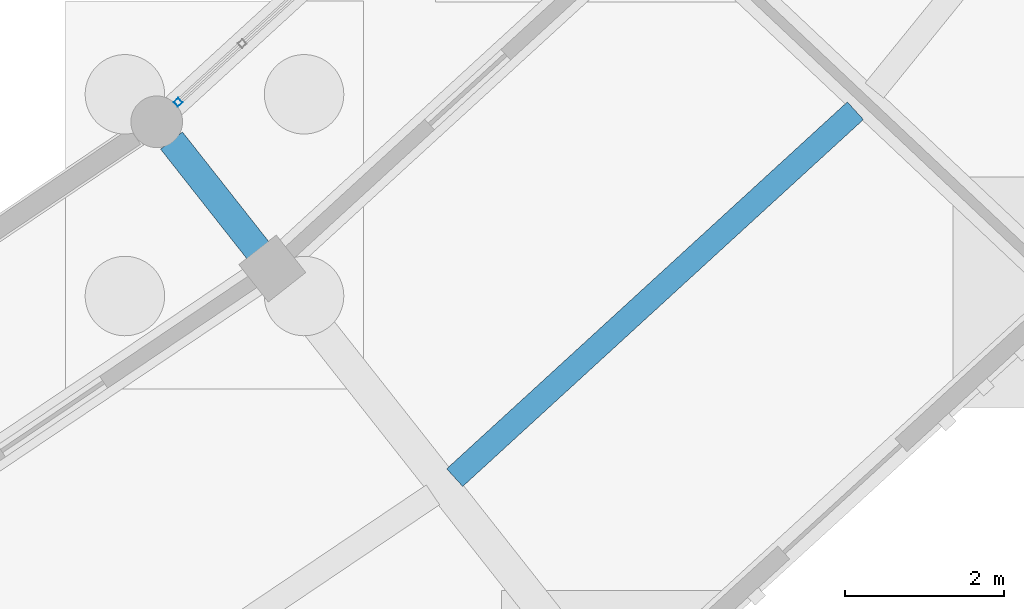
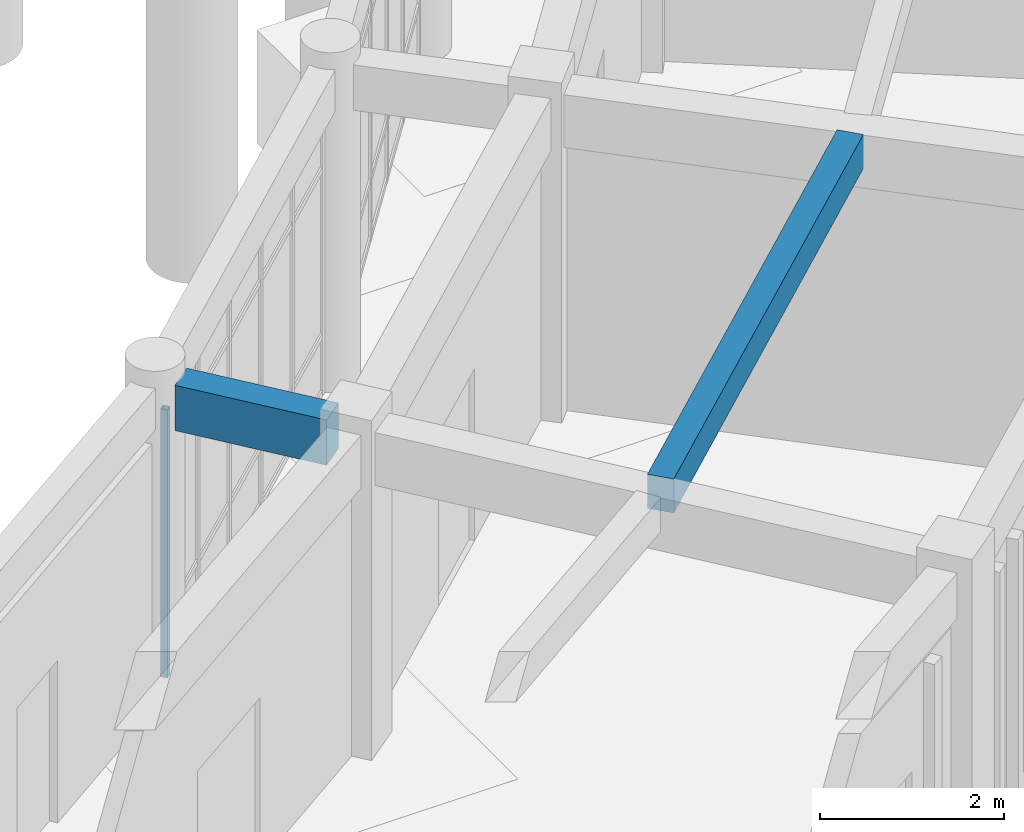
# One storey, part 48 of 153: 2 beams, 1 member, 1 element without a shape of its own.
"""IFC4 building model written with IfcOpenShell, lengths in metres."""

from ifc_helpers import new_model, si_unit, direction, frame, origin, origin_2d, place, context, subcontext, project, spatial, rectangle, hollow_rectangle, extrude, material, material_profile, profile_set, type_object, element, aggregate, save


model = new_model("IFC4")

# Units and contexts
model_context = context("Model", 3, precision=1e-05, world=origin(), true_north=direction((0.0, 1.0)))
body_context = subcontext(model_context, "Body", "Model", "MODEL_VIEW")
ifc_project = project(units=[si_unit("LENGTHUNIT", "METRE"), si_unit("AREAUNIT", "SQUARE_METRE"), si_unit("VOLUMEUNIT", "CUBIC_METRE"), si_unit("PLANEANGLEUNIT", "RADIAN"), si_unit("MASSUNIT", "GRAM", prefix="KILO")], contexts=[model_context])

# Site, building, storey
site_placement = place(None, origin())
site = spatial("IfcSite", under=ifc_project, at=site_placement, CompositionType="ELEMENT")
building_placement = place(site_placement, origin())
building = spatial("IfcBuilding", under=site, at=building_placement, Name="Celadon Cloister-Ring School", CompositionType="ELEMENT")
storey_placement = place(building_placement, origin())
storey = spatial("IfcBuildingStorey", under=building, at=storey_placement, Name="L00", CompositionType="ELEMENT", Elevation=0.0)

# Beam
ifc_material_1 = material(Name="Concrete C35/45", Category="concrete")
ifc_material_profile_1 = material_profile(ifc_material_1, rectangle(XDim=0.35009765625, YDim=0.60009765625, at=origin_2d()), Name="RC350X600")
ifc_profile_set_1 = profile_set([ifc_material_profile_1], Name="Concrete C35/45")
beam_type_1 = type_object("IfcBeamType", Name="BT-02", PredefinedType="BEAM", material=ifc_profile_set_1)
beam_1_placement = place(storey_placement, frame((114.677978515625, 23.867919921875, 3.97998046875), z_axis=(-0.618720442645, 0.785611235824, 0.0), x_axis=(-0.785611235824, -0.618720442645, 0.0)))
element("IfcBeam", 1, at=beam_1_placement, inside=storey, type_object=beam_type_1, Name="Beam 0043", PredefinedType="BEAM", context=body_context, shape_type="SweptSolid", body=[
    extrude(rectangle(XDim=0.35009765625, YDim=0.60009765625, at=origin_2d()), origin(), (0.0, 0.0, 1.0), 1.7744140625),
])

# Curtain wall, member
ifc_material_2 = material(Name="Aluminium EN AW-6063 T6", Category="aluminium")
curtain_wall_type = type_object("IfcCurtainWallType", Name="CW-01", PredefinedType="USERDEFINED", material=ifc_material_2)
curtain_wall_placement = place(storey_placement, origin())
curtain_wall = element("IfcCurtainWall", 2, at=curtain_wall_placement, inside=storey, type_object=curtain_wall_type, Name="Curtain Wall 0013", ObjectType="CURTAIN WALL", PredefinedType="USERDEFINED")
ifc_material_3 = material(Name="Aluminium EN AW-6063 T6", Category="aluminium")
ifc_material_profile_2 = material_profile(ifc_material_3, hollow_rectangle(XDim=0.080078125, YDim=0.080078125, WallThickness=0.00390625, at=origin_2d()), Name="RHS80X80X4")
ifc_profile_set_2 = profile_set([ifc_material_profile_2], Name="Aluminium EN AW-6063 T6")
member_type = type_object("IfcMemberType", Name="CM-03", PredefinedType="MULLION", material=ifc_profile_set_2)
member_placement = place(storey_placement, frame((113.66357421875, 25.744140625, 0.0), z_axis=(0.0, 0.0, 1.0), x_axis=(-0.675468961678, 0.737388419905, 0.0)))
member = element("IfcMember", 3, at=member_placement, type_object=member_type, Name="CW-01 mullion 1", PredefinedType="MULLION", context=body_context, shape_type="SweptSolid", body=[
    extrude(hollow_rectangle(XDim=0.080078125, YDim=0.080078125, WallThickness=0.00390625, at=origin_2d()), origin(), (0.0, 0.0, 1.0), 3.550048828125),
])
aggregate(curtain_wall, [member])

# Beam
ifc_material_4 = material(Name="Concrete C35/45", Category="concrete")
ifc_material_profile_3 = material_profile(ifc_material_4, rectangle(XDim=0.300048828125, YDim=0.449951171875, at=origin_2d()), Name="RC300X450")
ifc_profile_set_3 = profile_set([ifc_material_profile_3], Name="Concrete C35/45")
beam_type_2 = type_object("IfcBeamType", Name="JT-01", PredefinedType="JOIST", material=ifc_profile_set_3)
beam_2_placement = place(storey_placement, frame((117.14306640625, 21.02099609375, 4.054931640625), z_axis=(0.737515802412, 0.675329875833, 0.0), x_axis=(-0.675329875833, 0.737515802412, 0.0)))
element("IfcBeam", 4, at=beam_2_placement, inside=storey, type_object=beam_type_2, Name="Beam 0152", PredefinedType="JOIST", context=body_context, shape_type="SweptSolid", body=[
    extrude(rectangle(XDim=0.300048828125, YDim=0.449951171875, at=origin_2d()), origin(), (0.0, 0.0, 1.0), 6.835205078125),
])

save(model, "model.ifc")
